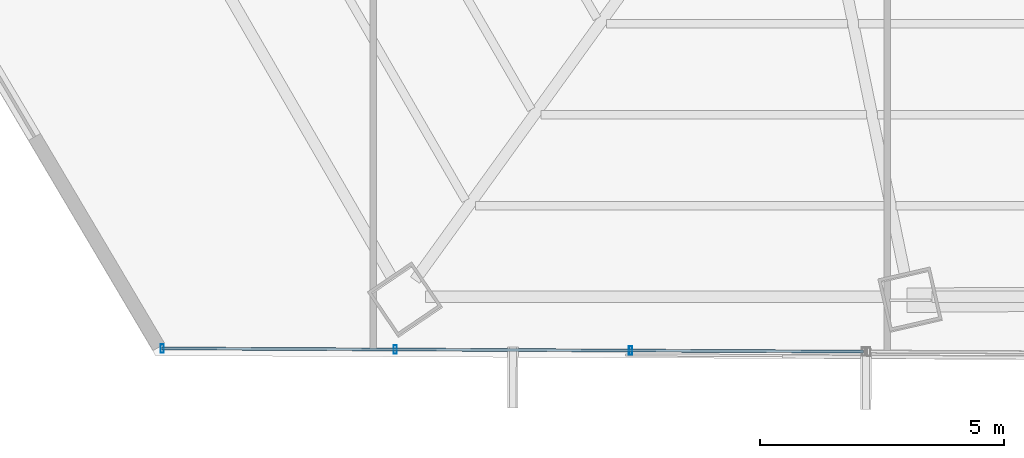
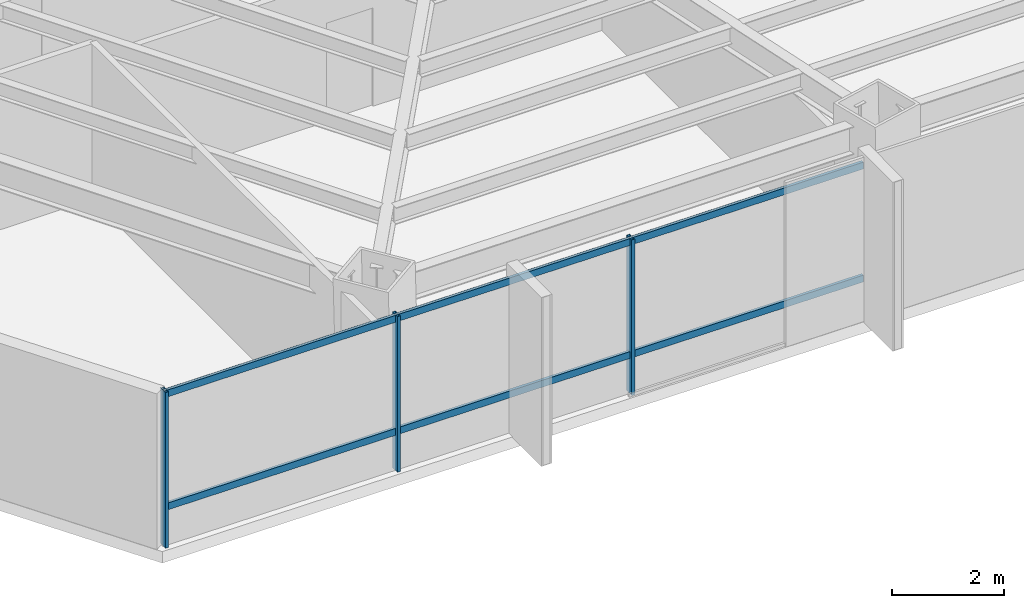
# One storey, part 4 of 35: 5 members, 1 element without a shape of its own.
"""IFC4 building model written with IfcOpenShell, lengths in metres."""

import ifcopenshell
import ifcopenshell.guid

model = None  # the IFC model being written
_history = None  # IfcOwnerHistory: only IFC2X3 demands one
_inside = {}  # id of a spatial element -> (the spatial element, [elements in it])
_under = {}  # id of a project, library or spatial element -> (it, [spatial elements below it])
_declared = {}  # id of a project -> (the project, [libraries it declares])
_typed = {}  # id of a type object -> (the type object, [elements of that type])
_made_of = {}  # id of a material, layer set ... -> (it, [elements and type objects made of it])


def new_model(schema):
    """Start an empty IFC model of exactly this schema.

    Asked for "IFC4X3", IfcOpenShell would pick the latest addendum, in which some entities
    have other attributes; the version numbers below select the first issue.
    IFC2X3 requires an IfcOwnerHistory on every rooted entity: one is made here for all.
    """
    global model, _history
    if schema == "IFC4X3":
        model = ifcopenshell.file(schema_version=(4, 3, 0, 0))
    else:
        model = ifcopenshell.file(schema=schema)
    _inside.clear()
    _under.clear()
    _declared.clear()
    _typed.clear()
    _made_of.clear()
    _history = None
    if model.schema == "IFC2X3":
        org = make("IfcOrganization", Name="unknown")
        user = make(
            "IfcPersonAndOrganization",
            ThePerson=make("IfcPerson", FamilyName="unknown"),
            TheOrganization=org,
        )
        app = make(
            "IfcApplication",
            ApplicationDeveloper=org,
            Version="unknown",
            ApplicationFullName="unknown",
            ApplicationIdentifier="unknown",
        )
        _history = make(
            "IfcOwnerHistory",
            OwningUser=user,
            OwningApplication=app,
            ChangeAction="ADDED",
            CreationDate=0,
        )
    return model


def make(cls, **values):
    """One entity of the class cls with the attributes given. An attribute that is None is left unset."""
    return model.create_entity(
        cls, **{name: value for name, value in values.items() if value is not None}
    )


def rooted(cls, **values):
    """An entity with a GlobalId (a new one), such as an element, a storey or a relation."""
    return make(cls, GlobalId=ifcopenshell.guid.new(), OwnerHistory=_history, **values)


def si_unit(unit_type, name, prefix=None):
    """IfcSIUnit, for example si_unit("LENGTHUNIT", "METRE", prefix="MILLI")."""
    return make("IfcSIUnit", UnitType=unit_type, Prefix=prefix, Name=name)


def assignment(units):
    """IfcUnitAssignment: the units of a project."""
    return None if units is None else make("IfcUnitAssignment", Units=units)


def point(xyz):
    """IfcCartesianPoint."""
    return None if xyz is None else make("IfcCartesianPoint", Coordinates=xyz)


def direction(xyz):
    """IfcDirection."""
    return None if xyz is None else make("IfcDirection", DirectionRatios=xyz)


def frame(location, z_axis=None, x_axis=None):
    """IfcAxis2Placement3D, a coordinate frame: its origin and axes. An axis left out is left unset."""
    return make(
        "IfcAxis2Placement3D",
        Location=point(location),
        Axis=direction(z_axis),
        RefDirection=direction(x_axis),
    )


def frame_2d(location, x_axis=None):
    """IfcAxis2Placement2D, a coordinate frame in the plane: its origin and x axis."""
    return make(
        "IfcAxis2Placement2D", Location=point(location), RefDirection=direction(x_axis)
    )


def origin():
    """The frame at (0, 0, 0) with its axes left unset."""
    return frame((0.0, 0.0, 0.0))


def origin_2d():
    """The frame at (0, 0) in the plane with its x axis left unset."""
    return frame_2d((0.0, 0.0))


def place(relative_to, where):
    """IfcLocalPlacement: puts the frame where relative to a parent placement (None: the world)."""
    return make(
        "IfcLocalPlacement", PlacementRelTo=relative_to, RelativePlacement=where
    )


def context(
    kind, dimensions, precision=None, world=None, true_north=None, identifier=None
):
    """IfcGeometricRepresentationContext, for example the 3D "Model" context."""
    return make(
        "IfcGeometricRepresentationContext",
        ContextIdentifier=identifier,
        ContextType=kind,
        CoordinateSpaceDimension=dimensions,
        Precision=precision,
        WorldCoordinateSystem=world,
        TrueNorth=true_north,
    )


def subcontext(parent, identifier, kind, view, scale=None):
    """IfcGeometricRepresentationSubContext, for example "Body" below "Model"."""
    return make(
        "IfcGeometricRepresentationSubContext",
        ContextIdentifier=identifier,
        ContextType=kind,
        ParentContext=parent,
        TargetScale=scale,
        TargetView=view,
    )


def project(units=None, contexts=None):
    """IfcProject with its units and contexts."""
    return rooted(
        "IfcProject",
        Name="project",
        RepresentationContexts=contexts,
        UnitsInContext=assignment(units),
    )


def spatial(cls, under=None, at=None, **own):
    """A site, building, storey or space (cls), placed at a placement, below another one or the project."""
    s = rooted(cls, ObjectPlacement=at, **own)
    if under is not None:
        _under.setdefault(under.id(), (under, []))[1].append(s)
    return s


def profile(cls, at=None, kind="AREA", **sizes):
    """A parametric profile (cls). Its sizes go by their IFC names, for example OverallWidth=200.0."""
    return make(cls, ProfileType=kind, Position=at, **sizes)


def hollow_rectangle(**sizes):
    """IfcRectangleHollowProfileDef."""
    return profile("IfcRectangleHollowProfileDef", **sizes)


def extrude(swept, where, along, depth):
    """IfcExtrudedAreaSolid: the profile swept, set in the frame where, extruded along a direction by depth."""
    return make(
        "IfcExtrudedAreaSolid",
        SweptArea=swept,
        Position=where,
        ExtrudedDirection=direction(along),
        Depth=depth,
    )


def shape(context_of_items, identifier, shape_type, items):
    """IfcShapeRepresentation: the items that make up one representation, for example the "Body"."""
    return make(
        "IfcShapeRepresentation",
        ContextOfItems=context_of_items,
        RepresentationIdentifier=identifier,
        RepresentationType=shape_type,
        Items=items,
    )


def source(mapping_origin, context_of_items, identifier, shape_type, items):
    """IfcRepresentationMap: a shape defined once, which mapped items show again and again."""
    return make(
        "IfcRepresentationMap",
        MappingOrigin=mapping_origin,
        MappedRepresentation=shape(context_of_items, identifier, shape_type, items),
    )


def transform(
    local_origin,
    x_axis=None,
    y_axis=None,
    z_axis=None,
    scale=None,
    scale2=None,
    scale3=None,
    uniform=True,
):
    """IfcCartesianTransformationOperator3D, or its non-uniform kind. x_axis, y_axis, z_axis: its Axis1, 2, 3."""
    if uniform:
        return make(
            "IfcCartesianTransformationOperator3D",
            Axis1=direction(x_axis),
            Axis2=direction(y_axis),
            LocalOrigin=point(local_origin),
            Scale=scale,
            Axis3=direction(z_axis),
        )
    return make(
        "IfcCartesianTransformationOperator3DnonUniform",
        Axis1=direction(x_axis),
        Axis2=direction(y_axis),
        LocalOrigin=point(local_origin),
        Scale=scale,
        Axis3=direction(z_axis),
        Scale2=scale2,
        Scale3=scale3,
    )


def mapped(mapping_source, mapping_target):
    """IfcMappedItem: shows the shape of a source again, moved by a transform."""
    return make(
        "IfcMappedItem", MappingSource=mapping_source, MappingTarget=mapping_target
    )


def material(Name=None, Category=None):
    """IfcMaterial."""
    return make("IfcMaterial", Name=Name, Category=Category)


def material_profile(
    of_material, cross_section, Name=None, Category=None, Priority=None
):
    """IfcMaterialProfile: a cross section and its material."""
    return make(
        "IfcMaterialProfile",
        Name=Name,
        Material=of_material,
        Profile=cross_section,
        Priority=Priority,
        Category=Category,
    )


def profile_set(profiles, Name=None, composite=None):
    """IfcMaterialProfileSet."""
    return make(
        "IfcMaterialProfileSet",
        Name=Name,
        MaterialProfiles=profiles,
        CompositeProfile=composite,
    )


def made_of(thing, what):
    """Note that an element or type object is made of a material, layer set ...; save() writes the relation."""
    if what is not None:
        _made_of.setdefault(what.id(), (what, []))[1].append(thing)
    return thing


def type_object(cls, material=None, **own):
    """A type object (cls), such as IfcWallType, which elements share."""
    return made_of(rooted(cls, **own), material)


def type_shapes(of_type, sources):
    """Give a type object the sources (RepresentationMaps) that its elements show as mapped items."""
    of_type.RepresentationMaps = sources


def element(
    cls,
    number,
    at=None,
    inside=None,
    cuts=None,
    type_object=None,
    material=None,
    context=None,
    identifier="Body",
    shape_type=None,
    held_by="IfcProductDefinitionShape",
    body=None,
    shapes=None,
    **own,
):
    """One element of the class cls, such as IfcWall. Its Tag is "e" and its number.

    at: its placement. inside: the storey or other place that contains it. cuts: it is an
    opening in that element (IfcRelVoidsElement). A single representation is given by context,
    identifier, shape_type and body (its items); several are given by shapes. held_by: the class
    of the entity that holds the representations. save() writes the other relations.
    """
    e = rooted(cls, Tag="e%d" % number, ObjectPlacement=at, **own)
    if body is not None:
        shapes = [shape(context, identifier, shape_type, body)]
    if shapes is not None:
        e.Representation = make(held_by, Representations=shapes)
    if inside is not None:
        _inside.setdefault(inside.id(), (inside, []))[1].append(e)
    if cuts is not None:
        rooted(
            "IfcRelVoidsElement", RelatingBuildingElement=cuts, RelatedOpeningElement=e
        )
    if type_object is not None:
        _typed.setdefault(type_object.id(), (type_object, []))[1].append(e)
    return made_of(e, material)


def aggregate(whole, parts):
    """IfcRelAggregates: a whole, such as a stair, and the parts it consists of."""
    return rooted("IfcRelAggregates", RelatingObject=whole, RelatedObjects=parts)


def save(model, path):
    """Write the relations noted so far, then the file.

    IfcRelAggregates (storeys below a building ...), IfcRelContainedInSpatialStructure (elements
    in a storey), IfcRelDefinesByType, IfcRelAssociatesMaterial and IfcRelDeclares: one each for
    every whole, place, type object, material and project.
    """
    for whole, parts in _under.values():
        aggregate(whole, parts)
    for where, things in _inside.values():
        rooted(
            "IfcRelContainedInSpatialStructure",
            RelatedElements=things,
            RelatingStructure=where,
        )
    for kind, things in _typed.values():
        rooted("IfcRelDefinesByType", RelatedObjects=things, RelatingType=kind)
    for what, things in _made_of.values():
        rooted("IfcRelAssociatesMaterial", RelatedObjects=things, RelatingMaterial=what)
    for by, libraries in _declared.values():
        rooted("IfcRelDeclares", RelatingContext=by, RelatedDefinitions=libraries)
    model.write(path)


model = new_model("IFC4")

# Units and contexts
model_context = context("Model", 3, precision=1e-05, world=origin(), true_north=direction((0.0, 1.0)))
body_context = subcontext(model_context, "Body", "Model", "MODEL_VIEW")
ifc_project = project(units=[si_unit("LENGTHUNIT", "METRE"), si_unit("AREAUNIT", "SQUARE_METRE"), si_unit("VOLUMEUNIT", "CUBIC_METRE"), si_unit("PLANEANGLEUNIT", "RADIAN"), si_unit("MASSUNIT", "GRAM", prefix="KILO")], contexts=[model_context])

# Site, building, storey
site_placement = place(None, origin())
site = spatial("IfcSite", under=ifc_project, at=site_placement, CompositionType="ELEMENT")
building_placement = place(site_placement, origin())
building = spatial("IfcBuilding", under=site, at=building_placement, Name="Caelisora Broadcast Tower", CompositionType="ELEMENT")
storey_placement = place(building_placement, frame((0.0, 0.0, 94.449951171875)))
storey = spatial("IfcBuildingStorey", under=building, at=storey_placement, Name="L24", CompositionType="ELEMENT", Elevation=94.449951171875)

# Curtain wall, members
ifc_material_1 = material(Name="Unitised Aluminium and Low-E Glass Curtain Wall", Category="glass")
curtain_wall_type = type_object("IfcCurtainWallType", Name="CW-Z2", PredefinedType="NOTDEFINED", material=ifc_material_1)
curtain_wall_placement = place(storey_placement, origin())
curtain_wall = element("IfcCurtainWall", 1, at=curtain_wall_placement, inside=storey, type_object=curtain_wall_type, Name="L24 curtain wall CW-Z2", PredefinedType="NOTDEFINED")
ifc_material_2 = material(Name="Aluminium 6063-T6 Anodised Terracotta Bronze", Category="aluminium")
ifc_material_profile_1 = material_profile(ifc_material_2, hollow_rectangle(XDim=0.06494140625, YDim=0.179931640625, WallThickness=0.00341796875, at=origin_2d()), Name="Aluminium 6063-T6 Anodised Terracotta Bronze")
ifc_profile_set_1 = profile_set([ifc_material_profile_1], Name="Aluminium 6063-T6 Anodised Terracotta Bronze")
member_type_1 = type_object("IfcMemberType", Name="CWM-02", PredefinedType="MULLION", material=ifc_profile_set_1)
shared_shape_1 = source(origin(), body_context, "Body", "SweptSolid", [
    extrude(hollow_rectangle(XDim=0.06494140625, YDim=0.179931640625, WallThickness=0.00341796875, at=origin_2d()), origin(), (0.0, 0.0, 1.0), 3.400146484375),
])
type_shapes(member_type_1, [shared_shape_1])
member_1_placement = place(storey_placement, frame((27.08447265625, 5.092041015625, 0.0), z_axis=(0.0, 0.0, 1.0), x_axis=(1.0, 0.0, 0.0)))
member_1 = element("IfcMember", 2, at=member_1_placement, type_object=member_type_1, Name="L24-CW-B07 mullion #1", PredefinedType="MULLION", context=body_context, shape_type="MappedRepresentation", body=[
    mapped(shared_shape_1, transform((0.0, 0.0, 0.0), scale=1.0)),
])
member_2_placement = place(storey_placement, frame((22.256103515625, 5.114013671875, 0.0), z_axis=(0.0, 0.0, 1.0), x_axis=(1.0, 0.0, 0.0)))
member_2 = element("IfcMember", 3, at=member_2_placement, type_object=member_type_1, Name="L24-CW-B07 mullion #2", PredefinedType="MULLION", context=body_context, shape_type="MappedRepresentation", body=[
    mapped(shared_shape_1, transform((0.0, 0.0, 0.0), scale=1.0)),
])
member_3_placement = place(storey_placement, frame((17.47802734375, 5.1357421875, 0.0), z_axis=(0.0, 0.0, 1.0), x_axis=(1.0, 0.0, 0.0)))
member_3 = element("IfcMember", 4, at=member_3_placement, type_object=member_type_1, Name="L24-CW-B07 mullion #3", PredefinedType="MULLION", context=body_context, shape_type="MappedRepresentation", body=[
    mapped(shared_shape_1, transform((0.0, 0.0, 0.0), scale=1.0)),
])
ifc_material_profile_2 = material_profile(ifc_material_2, hollow_rectangle(XDim=0.06005859375, YDim=0.14990234375, WallThickness=0.00341796875, at=origin_2d()), Name="Aluminium 6063-T6 Anodised Terracotta Bronze")
ifc_profile_set_2 = profile_set([ifc_material_profile_2], Name="Aluminium 6063-T6 Anodised Terracotta Bronze")
member_type_2 = type_object("IfcMemberType", Name="CWT-02", PredefinedType="USERDEFINED", material=ifc_profile_set_2)
shared_shape_2 = source(origin(), body_context, "Body", "SweptSolid", [
    extrude(hollow_rectangle(XDim=0.06005859375, YDim=0.14990234375, WallThickness=0.00341796875, at=origin_2d()), origin(), (0.0, 0.0, 1.0), 14.384765625),
])
type_shapes(member_type_2, [shared_shape_2])
member_4_placement = place(storey_placement, frame((31.862548828125, 5.0703125, 0.85009765625), z_axis=(-0.9999896552, 0.004548570539, 0.0), x_axis=(-0.004548570539, -0.9999896552, 0.0)))
member_4 = element("IfcMember", 5, at=member_4_placement, type_object=member_type_2, Name="L24-CW-B07 transom #1", ObjectType="TRANSOM", PredefinedType="USERDEFINED", context=body_context, shape_type="MappedRepresentation", body=[
    mapped(shared_shape_2, transform((0.0, 0.0, 0.0), scale=1.0)),
])
member_5_placement = place(storey_placement, frame((31.862548828125, 5.0703125, 3.320068359375), z_axis=(-0.9999896552, 0.004548570539, 0.0), x_axis=(-0.004548570539, -0.9999896552, 0.0)))
member_5 = element("IfcMember", 6, at=member_5_placement, type_object=member_type_2, Name="L24-CW-B07 transom #2", ObjectType="TRANSOM", PredefinedType="USERDEFINED", context=body_context, shape_type="MappedRepresentation", body=[
    mapped(shared_shape_2, transform((0.0, 0.0, 0.0), scale=1.0)),
])
aggregate(curtain_wall, [member_1, member_2, member_3, member_4, member_5])

save(model, "model.ifc")
